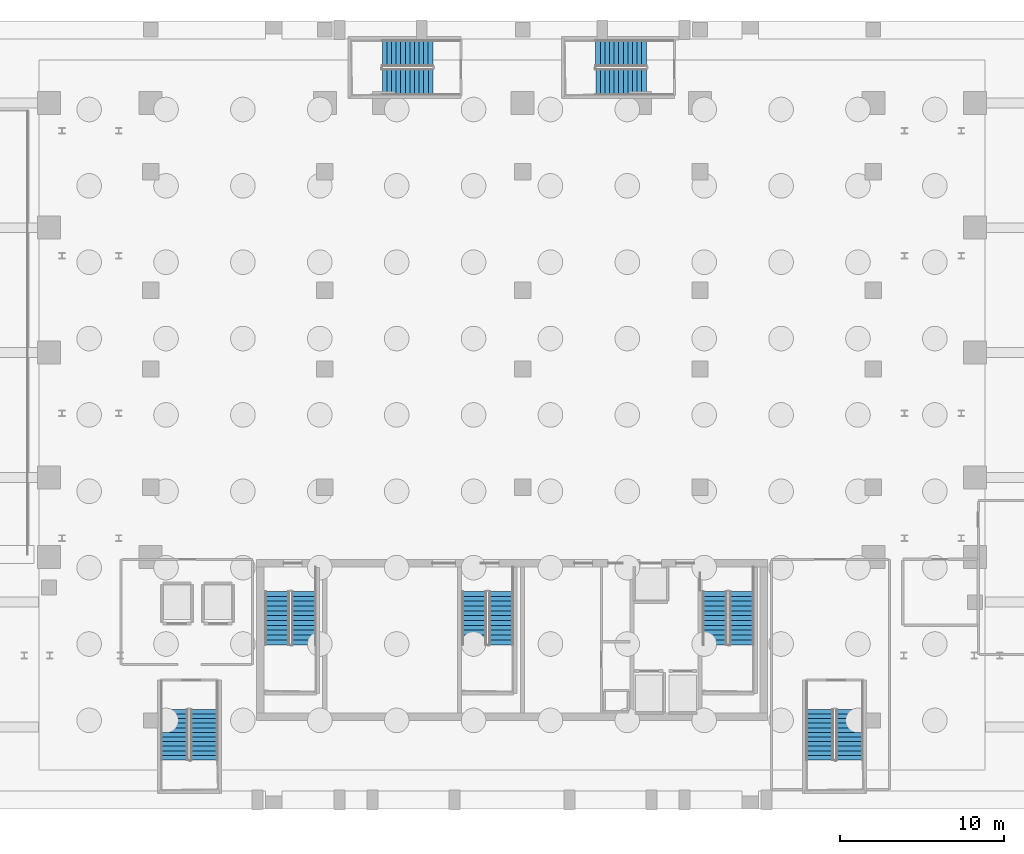
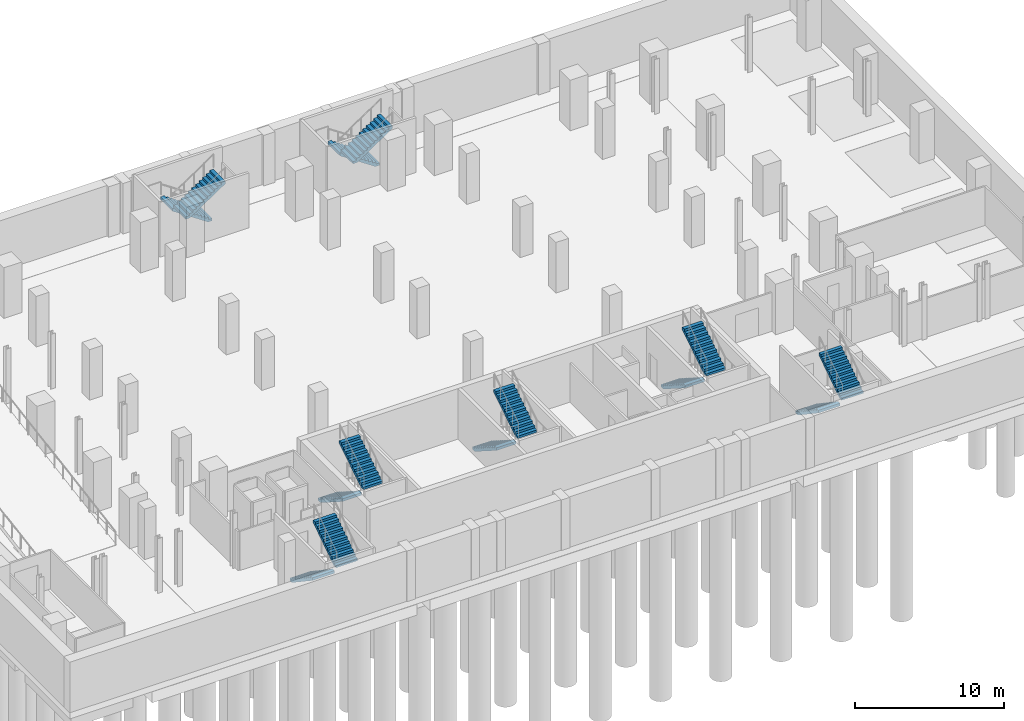
# One storey, part 13 of 18: 14 stair flights, 7 elements without a shape of their own.
"""IFC4 building model written with IfcOpenShell, lengths in metres."""

from ifc_helpers import new_model, si_unit, direction, frame, origin, place, context, subcontext, project, spatial, polyline, outline, extrude, material, type_object, element, aggregate, save


model = new_model("IFC4")

# Units and contexts
model_context = context("Model", 3, precision=1e-05, world=origin(), true_north=direction((0.0, 1.0)))
body_context = subcontext(model_context, "Body", "Model", "MODEL_VIEW")
ifc_project = project(units=[si_unit("LENGTHUNIT", "METRE"), si_unit("AREAUNIT", "SQUARE_METRE"), si_unit("VOLUMEUNIT", "CUBIC_METRE"), si_unit("PLANEANGLEUNIT", "RADIAN"), si_unit("MASSUNIT", "GRAM", prefix="KILO")], contexts=[model_context])

# Site, building, storey
site_placement = place(None, origin())
site = spatial("IfcSite", under=ifc_project, at=site_placement, CompositionType="ELEMENT")
building_placement = place(site_placement, origin())
building = spatial("IfcBuilding", under=site, at=building_placement, Name="Ndaravel Arena Tower", CompositionType="ELEMENT")
storey_placement = place(building_placement, frame((0.0, 0.0, -9.0)))
storey = spatial("IfcBuildingStorey", under=building, at=storey_placement, Name="B02", CompositionType="ELEMENT", Elevation=-9.0)

# Stair, stair flights
ifc_material_1 = material(Name="Concrete C40/50", Category="concrete")
stair_type = type_object("IfcStairType", Name="STAIR-CORE-HT", PredefinedType="HALF_TURN_STAIR", material=ifc_material_1)
stair_1_placement = place(storey_placement, origin())
stair_1 = element("IfcStair", 1, at=stair_1_placement, inside=storey, type_object=stair_type, Name="B02 ST-B1", PredefinedType="HALF_TURN_STAIR")
ifc_material_2 = material(Name="Concrete C40/50", Category="concrete")
stair_flight_type_1 = type_object("IfcStairFlightType", Name="SFLIGHT-BSMT-1620", PredefinedType="STRAIGHT", material=ifc_material_2)
stair_flight_1_placement = place(storey_placement, frame((21.43994140625, 6.070068359375, 0.0), z_axis=(0.0, 0.0, 1.0), x_axis=(0.0, -1.0, 0.0)))
stair_flight_1 = element("IfcStairFlight", 2, at=stair_flight_1_placement, type_object=stair_flight_type_1, Name="ST-B1 flight 1", NumberOfRisers=12, NumberOfTreads=11, PredefinedType="STRAIGHT", RiserHeight=0.1875, TreadLength=0.28, context=body_context, shape_type="SweptSolid", body=[
    extrude(outline(polyline([(0.0, 0.0), (0.0, 0.1875), (0.280029296875, 0.1875), (0.280029296875, 0.375), (0.56005859375, 0.375), (0.56005859375, 0.5625), (0.840087890625, 0.5625), (0.840087890625, 0.75), (1.1201171875, 0.75), (1.1201171875, 0.9375), (1.39990234375, 0.9375), (1.39990234375, 1.125), (1.679931640625, 1.125), (1.679931640625, 1.3125), (1.9599609375, 1.3125), (1.9599609375, 1.5), (2.239990234375, 1.5), (2.239990234375, 1.6875), (2.52001953125, 1.6875), (2.52001953125, 1.875), (2.800048828125, 1.875), (2.800048828125, 2.0625), (3.080078125, 2.0625), (3.080078125, 2.25), (3.080078125, 1.845947265625), (0.323486328125, 0.0), (0.0, 0.0)])), frame((0.0, 0.83984375, 0.0), z_axis=(0.0, -1.0, 0.0), x_axis=(1.0, 0.0, 0.0)), (0.0, 0.0, 1.0), 1.679931640625),
])
stair_flight_2_placement = place(storey_placement, frame((23.260009765625, 2.989990234375, 2.25), z_axis=(0.0, 0.0, 1.0), x_axis=(0.0, 1.0, 0.0)))
stair_flight_2 = element("IfcStairFlight", 3, at=stair_flight_2_placement, type_object=stair_flight_type_1, Name="ST-B1 flight 2", NumberOfRisers=12, NumberOfTreads=11, PredefinedType="STRAIGHT", RiserHeight=0.1875, TreadLength=0.28, context=body_context, shape_type="SweptSolid", body=[
    extrude(outline(polyline([(0.0, 0.0), (0.0, 0.1875), (0.280029296875, 0.1875), (0.280029296875, 0.375), (0.56005859375, 0.375), (0.56005859375, 0.5625), (0.840087890625, 0.5625), (0.840087890625, 0.75), (1.1201171875, 0.75), (1.1201171875, 0.9375), (1.39990234375, 0.9375), (1.39990234375, 1.125), (1.679931640625, 1.125), (1.679931640625, 1.3125), (1.9599609375, 1.3125), (1.9599609375, 1.5), (2.239990234375, 1.5), (2.239990234375, 1.6875), (2.52001953125, 1.6875), (2.52001953125, 1.875), (2.800048828125, 1.875), (2.800048828125, 2.0625), (3.080078125, 2.0625), (3.080078125, 2.25), (3.080078125, 1.845947265625), (0.323486328125, 0.0), (0.0, 0.0)])), frame((0.0, 0.83984375, 0.0), z_axis=(0.0, -1.0, 0.0), x_axis=(1.0, 0.0, 0.0)), (0.0, 0.0, 1.0), 1.679931640625),
])
aggregate(stair_1, [stair_flight_1, stair_flight_2])

stair_2_placement = place(storey_placement, origin())
stair_2 = element("IfcStair", 4, at=stair_2_placement, inside=storey, type_object=stair_type, Name="B02 ST-B2", PredefinedType="HALF_TURN_STAIR")
stair_flight_3_placement = place(storey_placement, frame((60.739990234375, 6.070068359375, 0.0), z_axis=(0.0, 0.0, 1.0), x_axis=(0.0, -1.0, 0.0)))
stair_flight_3 = element("IfcStairFlight", 5, at=stair_flight_3_placement, type_object=stair_flight_type_1, Name="ST-B2 flight 1", NumberOfRisers=12, NumberOfTreads=11, PredefinedType="STRAIGHT", RiserHeight=0.1875, TreadLength=0.28, context=body_context, shape_type="SweptSolid", body=[
    extrude(outline(polyline([(0.0, 0.0), (0.0, 0.1875), (0.280029296875, 0.1875), (0.280029296875, 0.375), (0.56005859375, 0.375), (0.56005859375, 0.5625), (0.840087890625, 0.5625), (0.840087890625, 0.75), (1.1201171875, 0.75), (1.1201171875, 0.9375), (1.39990234375, 0.9375), (1.39990234375, 1.125), (1.679931640625, 1.125), (1.679931640625, 1.3125), (1.9599609375, 1.3125), (1.9599609375, 1.5), (2.239990234375, 1.5), (2.239990234375, 1.6875), (2.52001953125, 1.6875), (2.52001953125, 1.875), (2.800048828125, 1.875), (2.800048828125, 2.0625), (3.080078125, 2.0625), (3.080078125, 2.25), (3.080078125, 1.845947265625), (0.323486328125, 0.0), (0.0, 0.0)])), frame((0.0, 0.83984375, 0.0), z_axis=(0.0, -1.0, 0.0), x_axis=(1.0, 0.0, 0.0)), (0.0, 0.0, 1.0), 1.679931640625),
])
stair_flight_4_placement = place(storey_placement, frame((62.56005859375, 2.989990234375, 2.25), z_axis=(0.0, 0.0, 1.0), x_axis=(0.0, 1.0, 0.0)))
stair_flight_4 = element("IfcStairFlight", 6, at=stair_flight_4_placement, type_object=stair_flight_type_1, Name="ST-B2 flight 2", NumberOfRisers=12, NumberOfTreads=11, PredefinedType="STRAIGHT", RiserHeight=0.1875, TreadLength=0.28, context=body_context, shape_type="SweptSolid", body=[
    extrude(outline(polyline([(0.0, 0.0), (0.0, 0.1875), (0.280029296875, 0.1875), (0.280029296875, 0.375), (0.56005859375, 0.375), (0.56005859375, 0.5625), (0.840087890625, 0.5625), (0.840087890625, 0.75), (1.1201171875, 0.75), (1.1201171875, 0.9375), (1.39990234375, 0.9375), (1.39990234375, 1.125), (1.679931640625, 1.125), (1.679931640625, 1.3125), (1.9599609375, 1.3125), (1.9599609375, 1.5), (2.239990234375, 1.5), (2.239990234375, 1.6875), (2.52001953125, 1.6875), (2.52001953125, 1.875), (2.800048828125, 1.875), (2.800048828125, 2.0625), (3.080078125, 2.0625), (3.080078125, 2.25), (3.080078125, 1.845947265625), (0.323486328125, 0.0), (0.0, 0.0)])), frame((0.0, 0.83984375, 0.0), z_axis=(0.0, -1.0, 0.0), x_axis=(1.0, 0.0, 0.0)), (0.0, 0.0, 1.0), 1.679931640625),
])
aggregate(stair_2, [stair_flight_3, stair_flight_4])

stair_3_placement = place(storey_placement, origin())
stair_3 = element("IfcStair", 7, at=stair_3_placement, inside=storey, type_object=stair_type, Name="B02 ST-B3", PredefinedType="HALF_TURN_STAIR")
stair_flight_5_placement = place(storey_placement, frame((37.179931640625, 46.030029296875, 0.0), z_axis=(0.0, 0.0, 1.0), x_axis=(-1.0, 0.0, 0.0)))
stair_flight_5 = element("IfcStairFlight", 8, at=stair_flight_5_placement, type_object=stair_flight_type_1, Name="ST-B3 flight 1", NumberOfRisers=12, NumberOfTreads=11, PredefinedType="STRAIGHT", RiserHeight=0.1875, TreadLength=0.28, context=body_context, shape_type="SweptSolid", body=[
    extrude(outline(polyline([(0.0, 0.0), (0.0, 0.1875), (0.280029296875, 0.1875), (0.280029296875, 0.375), (0.56005859375, 0.375), (0.56005859375, 0.5625), (0.840087890625, 0.5625), (0.840087890625, 0.75), (1.1201171875, 0.75), (1.1201171875, 0.9375), (1.39990234375, 0.9375), (1.39990234375, 1.125), (1.679931640625, 1.125), (1.679931640625, 1.3125), (1.9599609375, 1.3125), (1.9599609375, 1.5), (2.239990234375, 1.5), (2.239990234375, 1.6875), (2.52001953125, 1.6875), (2.52001953125, 1.875), (2.800048828125, 1.875), (2.800048828125, 2.0625), (3.080078125, 2.0625), (3.080078125, 2.25), (3.080078125, 1.845947265625), (0.323486328125, 0.0), (0.0, 0.0)])), frame((0.0, 0.81005859375, 0.0), z_axis=(0.0, -1.0, 0.0), x_axis=(1.0, 0.0, 0.0)), (0.0, 0.0, 1.0), 1.6201171875),
])
stair_flight_6_placement = place(storey_placement, frame((34.10009765625, 44.27001953125, 2.25), z_axis=(0.0, 0.0, 1.0), x_axis=(1.0, 0.0, 0.0)))
stair_flight_6 = element("IfcStairFlight", 9, at=stair_flight_6_placement, type_object=stair_flight_type_1, Name="ST-B3 flight 2", NumberOfRisers=12, NumberOfTreads=11, PredefinedType="STRAIGHT", RiserHeight=0.1875, TreadLength=0.28, context=body_context, shape_type="SweptSolid", body=[
    extrude(outline(polyline([(0.0, 0.0), (0.0, 0.1875), (0.280029296875, 0.1875), (0.280029296875, 0.375), (0.56005859375, 0.375), (0.56005859375, 0.5625), (0.840087890625, 0.5625), (0.840087890625, 0.75), (1.1201171875, 0.75), (1.1201171875, 0.9375), (1.39990234375, 0.9375), (1.39990234375, 1.125), (1.679931640625, 1.125), (1.679931640625, 1.3125), (1.9599609375, 1.3125), (1.9599609375, 1.5), (2.239990234375, 1.5), (2.239990234375, 1.6875), (2.52001953125, 1.6875), (2.52001953125, 1.875), (2.800048828125, 1.875), (2.800048828125, 2.0625), (3.080078125, 2.0625), (3.080078125, 2.25), (3.080078125, 1.845947265625), (0.323486328125, 0.0), (0.0, 0.0)])), frame((0.0, 0.81005859375, 0.0), z_axis=(0.0, -1.0, 0.0), x_axis=(1.0, 0.0, 0.0)), (0.0, 0.0, 1.0), 1.6201171875),
])
aggregate(stair_3, [stair_flight_5, stair_flight_6])

stair_4_placement = place(storey_placement, origin())
stair_4 = element("IfcStair", 10, at=stair_4_placement, inside=storey, type_object=stair_type, Name="B02 ST-B4", PredefinedType="HALF_TURN_STAIR")
stair_flight_7_placement = place(storey_placement, frame((50.179931640625, 46.030029296875, 0.0), z_axis=(0.0, 0.0, 1.0), x_axis=(-1.0, 0.0, 0.0)))
stair_flight_7 = element("IfcStairFlight", 11, at=stair_flight_7_placement, type_object=stair_flight_type_1, Name="ST-B4 flight 1", NumberOfRisers=12, NumberOfTreads=11, PredefinedType="STRAIGHT", RiserHeight=0.1875, TreadLength=0.28, context=body_context, shape_type="SweptSolid", body=[
    extrude(outline(polyline([(0.0, 0.0), (0.0, 0.1875), (0.280029296875, 0.1875), (0.280029296875, 0.375), (0.56005859375, 0.375), (0.56005859375, 0.5625), (0.840087890625, 0.5625), (0.840087890625, 0.75), (1.1201171875, 0.75), (1.1201171875, 0.9375), (1.39990234375, 0.9375), (1.39990234375, 1.125), (1.679931640625, 1.125), (1.679931640625, 1.3125), (1.9599609375, 1.3125), (1.9599609375, 1.5), (2.239990234375, 1.5), (2.239990234375, 1.6875), (2.52001953125, 1.6875), (2.52001953125, 1.875), (2.800048828125, 1.875), (2.800048828125, 2.0625), (3.080078125, 2.0625), (3.080078125, 2.25), (3.080078125, 1.845947265625), (0.323486328125, 0.0), (0.0, 0.0)])), frame((0.0, 0.81005859375, 0.0), z_axis=(0.0, -1.0, 0.0), x_axis=(1.0, 0.0, 0.0)), (0.0, 0.0, 1.0), 1.6201171875),
])
stair_flight_8_placement = place(storey_placement, frame((47.10009765625, 44.27001953125, 2.25), z_axis=(0.0, 0.0, 1.0), x_axis=(1.0, 0.0, 0.0)))
stair_flight_8 = element("IfcStairFlight", 12, at=stair_flight_8_placement, type_object=stair_flight_type_1, Name="ST-B4 flight 2", NumberOfRisers=12, NumberOfTreads=11, PredefinedType="STRAIGHT", RiserHeight=0.1875, TreadLength=0.28, context=body_context, shape_type="SweptSolid", body=[
    extrude(outline(polyline([(0.0, 0.0), (0.0, 0.1875), (0.280029296875, 0.1875), (0.280029296875, 0.375), (0.56005859375, 0.375), (0.56005859375, 0.5625), (0.840087890625, 0.5625), (0.840087890625, 0.75), (1.1201171875, 0.75), (1.1201171875, 0.9375), (1.39990234375, 0.9375), (1.39990234375, 1.125), (1.679931640625, 1.125), (1.679931640625, 1.3125), (1.9599609375, 1.3125), (1.9599609375, 1.5), (2.239990234375, 1.5), (2.239990234375, 1.6875), (2.52001953125, 1.6875), (2.52001953125, 1.875), (2.800048828125, 1.875), (2.800048828125, 2.0625), (3.080078125, 2.0625), (3.080078125, 2.25), (3.080078125, 1.845947265625), (0.323486328125, 0.0), (0.0, 0.0)])), frame((0.0, 0.81005859375, 0.0), z_axis=(0.0, -1.0, 0.0), x_axis=(1.0, 0.0, 0.0)), (0.0, 0.0, 1.0), 1.6201171875),
])
aggregate(stair_4, [stair_flight_7, stair_flight_8])

stair_5_placement = place(storey_placement, origin())
stair_5 = element("IfcStair", 13, at=stair_5_placement, inside=storey, type_object=stair_type, Name="B02 ST-1", PredefinedType="HALF_TURN_STAIR")
ifc_material_3 = material(Name="Concrete C40/50", Category="concrete")
stair_flight_type_2 = type_object("IfcStairFlightType", Name="SFLIGHT-CORE-1680", PredefinedType="STRAIGHT", material=ifc_material_3)
stair_flight_9_placement = place(storey_placement, frame((27.699951171875, 13.25, 0.0), z_axis=(0.0, 0.0, 1.0), x_axis=(0.0, -1.0, 0.0)))
stair_flight_9 = element("IfcStairFlight", 14, at=stair_flight_9_placement, type_object=stair_flight_type_2, Name="ST-1 flight 1", NumberOfRisers=12, NumberOfTreads=11, PredefinedType="STRAIGHT", RiserHeight=0.1875, TreadLength=0.295, context=body_context, shape_type="SweptSolid", body=[
    extrude(outline(polyline([(0.0, 0.0), (0.0, 0.1875), (0.294921875, 0.1875), (0.294921875, 0.375), (0.590087890625, 0.375), (0.590087890625, 0.5625), (0.885009765625, 0.5625), (0.885009765625, 0.75), (1.179931640625, 0.75), (1.179931640625, 0.9375), (1.47509765625, 0.9375), (1.47509765625, 1.125), (1.77001953125, 1.125), (1.77001953125, 1.3125), (2.06494140625, 1.3125), (2.06494140625, 1.5), (2.360107421875, 1.5), (2.360107421875, 1.6875), (2.655029296875, 1.6875), (2.655029296875, 1.875), (2.949951171875, 1.875), (2.949951171875, 2.0625), (3.2451171875, 2.0625), (3.2451171875, 2.25), (3.2451171875, 1.849365234375), (0.33544921875, 0.0), (0.0, 0.0)])), frame((0.0, 0.75, 0.0), z_axis=(0.0, -1.0, 0.0), x_axis=(1.0, 0.0, 0.0)), (0.0, 0.0, 1.0), 1.5),
])
stair_flight_10_placement = place(storey_placement, frame((29.340087890625, 10.0048828125, 2.25), z_axis=(0.0, 0.0, 1.0), x_axis=(0.0, 1.0, 0.0)))
stair_flight_10 = element("IfcStairFlight", 15, at=stair_flight_10_placement, type_object=stair_flight_type_2, Name="ST-1 flight 2", NumberOfRisers=12, NumberOfTreads=11, PredefinedType="STRAIGHT", RiserHeight=0.1875, TreadLength=0.295, context=body_context, shape_type="SweptSolid", body=[
    extrude(outline(polyline([(0.0, 0.0), (0.0, 0.1875), (0.294921875, 0.1875), (0.294921875, 0.375), (0.590087890625, 0.375), (0.590087890625, 0.5625), (0.885009765625, 0.5625), (0.885009765625, 0.75), (1.179931640625, 0.75), (1.179931640625, 0.9375), (1.47509765625, 0.9375), (1.47509765625, 1.125), (1.77001953125, 1.125), (1.77001953125, 1.3125), (2.06494140625, 1.3125), (2.06494140625, 1.5), (2.360107421875, 1.5), (2.360107421875, 1.6875), (2.655029296875, 1.6875), (2.655029296875, 1.875), (2.949951171875, 1.875), (2.949951171875, 2.0625), (3.2451171875, 2.0625), (3.2451171875, 2.25), (3.2451171875, 1.849365234375), (0.33544921875, 0.0), (0.0, 0.0)])), frame((0.0, 0.75, 0.0), z_axis=(0.0, -1.0, 0.0), x_axis=(1.0, 0.0, 0.0)), (0.0, 0.0, 1.0), 1.5),
])
aggregate(stair_5, [stair_flight_9, stair_flight_10])

stair_6_placement = place(storey_placement, origin())
stair_6 = element("IfcStair", 16, at=stair_6_placement, inside=storey, type_object=stair_type, Name="B02 ST-2", PredefinedType="HALF_TURN_STAIR")
stair_flight_11_placement = place(storey_placement, frame((39.699951171875, 13.25, 0.0), z_axis=(0.0, 0.0, 1.0), x_axis=(0.0, -1.0, 0.0)))
stair_flight_11 = element("IfcStairFlight", 17, at=stair_flight_11_placement, type_object=stair_flight_type_2, Name="ST-2 flight 1", NumberOfRisers=12, NumberOfTreads=11, PredefinedType="STRAIGHT", RiserHeight=0.1875, TreadLength=0.295, context=body_context, shape_type="SweptSolid", body=[
    extrude(outline(polyline([(0.0, 0.0), (0.0, 0.1875), (0.294921875, 0.1875), (0.294921875, 0.375), (0.590087890625, 0.375), (0.590087890625, 0.5625), (0.885009765625, 0.5625), (0.885009765625, 0.75), (1.179931640625, 0.75), (1.179931640625, 0.9375), (1.47509765625, 0.9375), (1.47509765625, 1.125), (1.77001953125, 1.125), (1.77001953125, 1.3125), (2.06494140625, 1.3125), (2.06494140625, 1.5), (2.360107421875, 1.5), (2.360107421875, 1.6875), (2.655029296875, 1.6875), (2.655029296875, 1.875), (2.949951171875, 1.875), (2.949951171875, 2.0625), (3.2451171875, 2.0625), (3.2451171875, 2.25), (3.2451171875, 1.849365234375), (0.33544921875, 0.0), (0.0, 0.0)])), frame((0.0, 0.75, 0.0), z_axis=(0.0, -1.0, 0.0), x_axis=(1.0, 0.0, 0.0)), (0.0, 0.0, 1.0), 1.5),
])
stair_flight_12_placement = place(storey_placement, frame((41.340087890625, 10.0048828125, 2.25), z_axis=(0.0, 0.0, 1.0), x_axis=(0.0, 1.0, 0.0)))
stair_flight_12 = element("IfcStairFlight", 18, at=stair_flight_12_placement, type_object=stair_flight_type_2, Name="ST-2 flight 2", NumberOfRisers=12, NumberOfTreads=11, PredefinedType="STRAIGHT", RiserHeight=0.1875, TreadLength=0.295, context=body_context, shape_type="SweptSolid", body=[
    extrude(outline(polyline([(0.0, 0.0), (0.0, 0.1875), (0.294921875, 0.1875), (0.294921875, 0.375), (0.590087890625, 0.375), (0.590087890625, 0.5625), (0.885009765625, 0.5625), (0.885009765625, 0.75), (1.179931640625, 0.75), (1.179931640625, 0.9375), (1.47509765625, 0.9375), (1.47509765625, 1.125), (1.77001953125, 1.125), (1.77001953125, 1.3125), (2.06494140625, 1.3125), (2.06494140625, 1.5), (2.360107421875, 1.5), (2.360107421875, 1.6875), (2.655029296875, 1.6875), (2.655029296875, 1.875), (2.949951171875, 1.875), (2.949951171875, 2.0625), (3.2451171875, 2.0625), (3.2451171875, 2.25), (3.2451171875, 1.849365234375), (0.33544921875, 0.0), (0.0, 0.0)])), frame((0.0, 0.75, 0.0), z_axis=(0.0, -1.0, 0.0), x_axis=(1.0, 0.0, 0.0)), (0.0, 0.0, 1.0), 1.5),
])
aggregate(stair_6, [stair_flight_11, stair_flight_12])

stair_7_placement = place(storey_placement, origin())
stair_7 = element("IfcStair", 19, at=stair_7_placement, inside=storey, type_object=stair_type, Name="B02 ST-3", PredefinedType="HALF_TURN_STAIR")
stair_flight_13_placement = place(storey_placement, frame((54.35009765625, 13.25, 0.0), z_axis=(0.0, 0.0, 1.0), x_axis=(0.0, -1.0, 0.0)))
stair_flight_13 = element("IfcStairFlight", 20, at=stair_flight_13_placement, type_object=stair_flight_type_2, Name="ST-3 flight 1", NumberOfRisers=12, NumberOfTreads=11, PredefinedType="STRAIGHT", RiserHeight=0.1875, TreadLength=0.295, context=body_context, shape_type="SweptSolid", body=[
    extrude(outline(polyline([(0.0, 0.0), (0.0, 0.1875), (0.294921875, 0.1875), (0.294921875, 0.375), (0.590087890625, 0.375), (0.590087890625, 0.5625), (0.885009765625, 0.5625), (0.885009765625, 0.75), (1.179931640625, 0.75), (1.179931640625, 0.9375), (1.47509765625, 0.9375), (1.47509765625, 1.125), (1.77001953125, 1.125), (1.77001953125, 1.3125), (2.06494140625, 1.3125), (2.06494140625, 1.5), (2.360107421875, 1.5), (2.360107421875, 1.6875), (2.655029296875, 1.6875), (2.655029296875, 1.875), (2.949951171875, 1.875), (2.949951171875, 2.0625), (3.2451171875, 2.0625), (3.2451171875, 2.25), (3.2451171875, 1.849365234375), (0.33544921875, 0.0), (0.0, 0.0)])), frame((0.0, 0.75, 0.0), z_axis=(0.0, -1.0, 0.0), x_axis=(1.0, 0.0, 0.0)), (0.0, 0.0, 1.0), 1.5),
])
stair_flight_14_placement = place(storey_placement, frame((55.989990234375, 10.0048828125, 2.25), z_axis=(0.0, 0.0, 1.0), x_axis=(0.0, 1.0, 0.0)))
stair_flight_14 = element("IfcStairFlight", 21, at=stair_flight_14_placement, type_object=stair_flight_type_2, Name="ST-3 flight 2", NumberOfRisers=12, NumberOfTreads=11, PredefinedType="STRAIGHT", RiserHeight=0.1875, TreadLength=0.295, context=body_context, shape_type="SweptSolid", body=[
    extrude(outline(polyline([(0.0, 0.0), (0.0, 0.1875), (0.294921875, 0.1875), (0.294921875, 0.375), (0.590087890625, 0.375), (0.590087890625, 0.5625), (0.885009765625, 0.5625), (0.885009765625, 0.75), (1.179931640625, 0.75), (1.179931640625, 0.9375), (1.47509765625, 0.9375), (1.47509765625, 1.125), (1.77001953125, 1.125), (1.77001953125, 1.3125), (2.06494140625, 1.3125), (2.06494140625, 1.5), (2.360107421875, 1.5), (2.360107421875, 1.6875), (2.655029296875, 1.6875), (2.655029296875, 1.875), (2.949951171875, 1.875), (2.949951171875, 2.0625), (3.2451171875, 2.0625), (3.2451171875, 2.25), (3.2451171875, 1.849365234375), (0.33544921875, 0.0), (0.0, 0.0)])), frame((0.0, 0.75, 0.0), z_axis=(0.0, -1.0, 0.0), x_axis=(1.0, 0.0, 0.0)), (0.0, 0.0, 1.0), 1.5),
])
aggregate(stair_7, [stair_flight_13, stair_flight_14])

save(model, "model.ifc")
